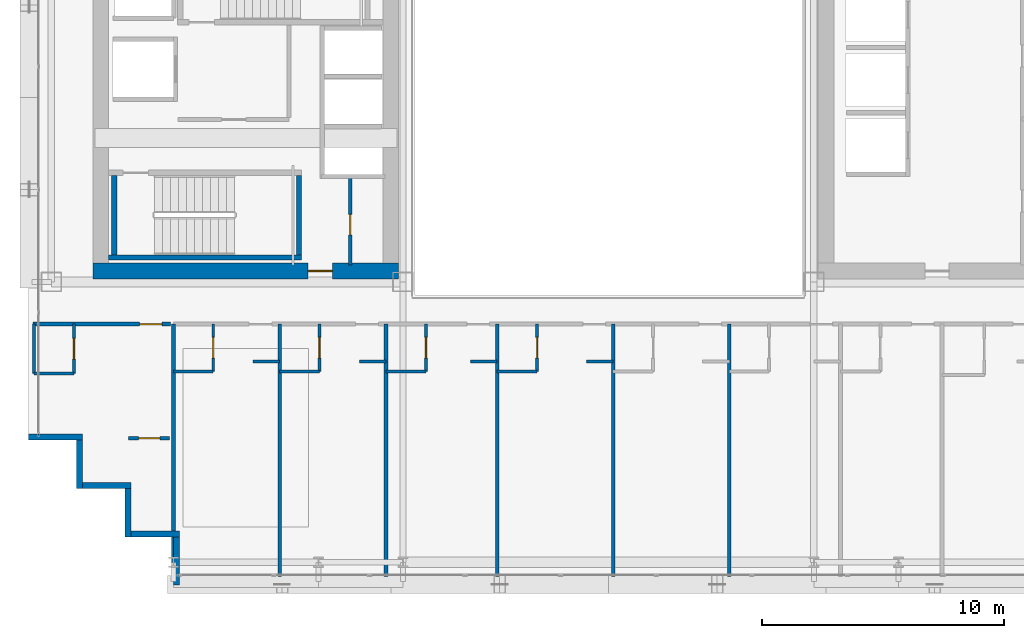
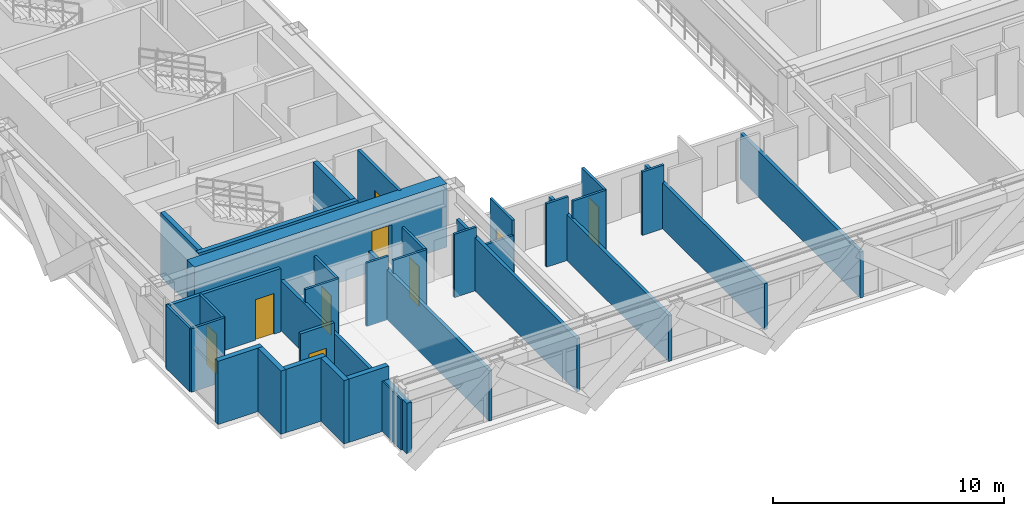
# One storey, part 27 of 36: 34 walls, 9 doors, 9 openings.
"""IFC4 building model written with IfcOpenShell, lengths in metres."""

import ifcopenshell
import ifcopenshell.guid

model = None  # the IFC model being written
_history = None  # IfcOwnerHistory: only IFC2X3 demands one
_inside = {}  # id of a spatial element -> (the spatial element, [elements in it])
_under = {}  # id of a project, library or spatial element -> (it, [spatial elements below it])
_declared = {}  # id of a project -> (the project, [libraries it declares])
_typed = {}  # id of a type object -> (the type object, [elements of that type])
_made_of = {}  # id of a material, layer set ... -> (it, [elements and type objects made of it])


def new_model(schema):
    """Start an empty IFC model of exactly this schema.

    Asked for "IFC4X3", IfcOpenShell would pick the latest addendum, in which some entities
    have other attributes; the version numbers below select the first issue.
    IFC2X3 requires an IfcOwnerHistory on every rooted entity: one is made here for all.
    """
    global model, _history
    if schema == "IFC4X3":
        model = ifcopenshell.file(schema_version=(4, 3, 0, 0))
    else:
        model = ifcopenshell.file(schema=schema)
    _inside.clear()
    _under.clear()
    _declared.clear()
    _typed.clear()
    _made_of.clear()
    _history = None
    if model.schema == "IFC2X3":
        org = make("IfcOrganization", Name="unknown")
        user = make(
            "IfcPersonAndOrganization",
            ThePerson=make("IfcPerson", FamilyName="unknown"),
            TheOrganization=org,
        )
        app = make(
            "IfcApplication",
            ApplicationDeveloper=org,
            Version="unknown",
            ApplicationFullName="unknown",
            ApplicationIdentifier="unknown",
        )
        _history = make(
            "IfcOwnerHistory",
            OwningUser=user,
            OwningApplication=app,
            ChangeAction="ADDED",
            CreationDate=0,
        )
    return model


def make(cls, **values):
    """One entity of the class cls with the attributes given. An attribute that is None is left unset."""
    return model.create_entity(
        cls, **{name: value for name, value in values.items() if value is not None}
    )


def rooted(cls, **values):
    """An entity with a GlobalId (a new one), such as an element, a storey or a relation."""
    return make(cls, GlobalId=ifcopenshell.guid.new(), OwnerHistory=_history, **values)


def si_unit(unit_type, name, prefix=None):
    """IfcSIUnit, for example si_unit("LENGTHUNIT", "METRE", prefix="MILLI")."""
    return make("IfcSIUnit", UnitType=unit_type, Prefix=prefix, Name=name)


def assignment(units):
    """IfcUnitAssignment: the units of a project."""
    return None if units is None else make("IfcUnitAssignment", Units=units)


def point(xyz):
    """IfcCartesianPoint."""
    return None if xyz is None else make("IfcCartesianPoint", Coordinates=xyz)


def direction(xyz):
    """IfcDirection."""
    return None if xyz is None else make("IfcDirection", DirectionRatios=xyz)


def frame(location, z_axis=None, x_axis=None):
    """IfcAxis2Placement3D, a coordinate frame: its origin and axes. An axis left out is left unset."""
    return make(
        "IfcAxis2Placement3D",
        Location=point(location),
        Axis=direction(z_axis),
        RefDirection=direction(x_axis),
    )


def frame_2d(location, x_axis=None):
    """IfcAxis2Placement2D, a coordinate frame in the plane: its origin and x axis."""
    return make(
        "IfcAxis2Placement2D", Location=point(location), RefDirection=direction(x_axis)
    )


def origin():
    """The frame at (0, 0, 0) with its axes left unset."""
    return frame((0.0, 0.0, 0.0))


def place(relative_to, where):
    """IfcLocalPlacement: puts the frame where relative to a parent placement (None: the world)."""
    return make(
        "IfcLocalPlacement", PlacementRelTo=relative_to, RelativePlacement=where
    )


def context(
    kind, dimensions, precision=None, world=None, true_north=None, identifier=None
):
    """IfcGeometricRepresentationContext, for example the 3D "Model" context."""
    return make(
        "IfcGeometricRepresentationContext",
        ContextIdentifier=identifier,
        ContextType=kind,
        CoordinateSpaceDimension=dimensions,
        Precision=precision,
        WorldCoordinateSystem=world,
        TrueNorth=true_north,
    )


def subcontext(parent, identifier, kind, view, scale=None):
    """IfcGeometricRepresentationSubContext, for example "Body" below "Model"."""
    return make(
        "IfcGeometricRepresentationSubContext",
        ContextIdentifier=identifier,
        ContextType=kind,
        ParentContext=parent,
        TargetScale=scale,
        TargetView=view,
    )


def project(units=None, contexts=None):
    """IfcProject with its units and contexts."""
    return rooted(
        "IfcProject",
        Name="project",
        RepresentationContexts=contexts,
        UnitsInContext=assignment(units),
    )


def spatial(cls, under=None, at=None, **own):
    """A site, building, storey or space (cls), placed at a placement, below another one or the project."""
    s = rooted(cls, ObjectPlacement=at, **own)
    if under is not None:
        _under.setdefault(under.id(), (under, []))[1].append(s)
    return s


def profile(cls, at=None, kind="AREA", **sizes):
    """A parametric profile (cls). Its sizes go by their IFC names, for example OverallWidth=200.0."""
    return make(cls, ProfileType=kind, Position=at, **sizes)


def rectangle(**sizes):
    """IfcRectangleProfileDef."""
    return profile("IfcRectangleProfileDef", **sizes)


def extrude(swept, where, along, depth):
    """IfcExtrudedAreaSolid: the profile swept, set in the frame where, extruded along a direction by depth."""
    return make(
        "IfcExtrudedAreaSolid",
        SweptArea=swept,
        Position=where,
        ExtrudedDirection=direction(along),
        Depth=depth,
    )


def shape(context_of_items, identifier, shape_type, items):
    """IfcShapeRepresentation: the items that make up one representation, for example the "Body"."""
    return make(
        "IfcShapeRepresentation",
        ContextOfItems=context_of_items,
        RepresentationIdentifier=identifier,
        RepresentationType=shape_type,
        Items=items,
    )


def source(mapping_origin, context_of_items, identifier, shape_type, items):
    """IfcRepresentationMap: a shape defined once, which mapped items show again and again."""
    return make(
        "IfcRepresentationMap",
        MappingOrigin=mapping_origin,
        MappedRepresentation=shape(context_of_items, identifier, shape_type, items),
    )


def transform(
    local_origin,
    x_axis=None,
    y_axis=None,
    z_axis=None,
    scale=None,
    scale2=None,
    scale3=None,
    uniform=True,
):
    """IfcCartesianTransformationOperator3D, or its non-uniform kind. x_axis, y_axis, z_axis: its Axis1, 2, 3."""
    if uniform:
        return make(
            "IfcCartesianTransformationOperator3D",
            Axis1=direction(x_axis),
            Axis2=direction(y_axis),
            LocalOrigin=point(local_origin),
            Scale=scale,
            Axis3=direction(z_axis),
        )
    return make(
        "IfcCartesianTransformationOperator3DnonUniform",
        Axis1=direction(x_axis),
        Axis2=direction(y_axis),
        LocalOrigin=point(local_origin),
        Scale=scale,
        Axis3=direction(z_axis),
        Scale2=scale2,
        Scale3=scale3,
    )


def mapped(mapping_source, mapping_target):
    """IfcMappedItem: shows the shape of a source again, moved by a transform."""
    return make(
        "IfcMappedItem", MappingSource=mapping_source, MappingTarget=mapping_target
    )


def material(Name=None, Category=None):
    """IfcMaterial."""
    return make("IfcMaterial", Name=Name, Category=Category)


def layer(
    of_material, thickness, ventilated=None, Name=None, Category=None, Priority=None
):
    """IfcMaterialLayer: one layer of a wall or slab, of a material (None: an air gap)."""
    return make(
        "IfcMaterialLayer",
        Material=of_material,
        LayerThickness=thickness,
        IsVentilated=ventilated,
        Name=Name,
        Category=Category,
        Priority=Priority,
    )


def layer_set(layers, Name=None):
    """IfcMaterialLayerSet."""
    return make("IfcMaterialLayerSet", MaterialLayers=layers, LayerSetName=Name)


def made_of(thing, what):
    """Note that an element or type object is made of a material, layer set ...; save() writes the relation."""
    if what is not None:
        _made_of.setdefault(what.id(), (what, []))[1].append(thing)
    return thing


def type_object(cls, material=None, **own):
    """A type object (cls), such as IfcWallType, which elements share."""
    return made_of(rooted(cls, **own), material)


def element(
    cls,
    number,
    at=None,
    inside=None,
    cuts=None,
    type_object=None,
    material=None,
    context=None,
    identifier="Body",
    shape_type=None,
    held_by="IfcProductDefinitionShape",
    body=None,
    shapes=None,
    **own,
):
    """One element of the class cls, such as IfcWall. Its Tag is "e" and its number.

    at: its placement. inside: the storey or other place that contains it. cuts: it is an
    opening in that element (IfcRelVoidsElement). A single representation is given by context,
    identifier, shape_type and body (its items); several are given by shapes. held_by: the class
    of the entity that holds the representations. save() writes the other relations.
    """
    e = rooted(cls, Tag="e%d" % number, ObjectPlacement=at, **own)
    if body is not None:
        shapes = [shape(context, identifier, shape_type, body)]
    if shapes is not None:
        e.Representation = make(held_by, Representations=shapes)
    if inside is not None:
        _inside.setdefault(inside.id(), (inside, []))[1].append(e)
    if cuts is not None:
        rooted(
            "IfcRelVoidsElement", RelatingBuildingElement=cuts, RelatedOpeningElement=e
        )
    if type_object is not None:
        _typed.setdefault(type_object.id(), (type_object, []))[1].append(e)
    return made_of(e, material)


def fill(opening, filler):
    """IfcRelFillsElement: the door or window that sits in an opening."""
    return rooted(
        "IfcRelFillsElement",
        RelatingOpeningElement=opening,
        RelatedBuildingElement=filler,
    )


def aggregate(whole, parts):
    """IfcRelAggregates: a whole, such as a stair, and the parts it consists of."""
    return rooted("IfcRelAggregates", RelatingObject=whole, RelatedObjects=parts)


def save(model, path):
    """Write the relations noted so far, then the file.

    IfcRelAggregates (storeys below a building ...), IfcRelContainedInSpatialStructure (elements
    in a storey), IfcRelDefinesByType, IfcRelAssociatesMaterial and IfcRelDeclares: one each for
    every whole, place, type object, material and project.
    """
    for whole, parts in _under.values():
        aggregate(whole, parts)
    for where, things in _inside.values():
        rooted(
            "IfcRelContainedInSpatialStructure",
            RelatedElements=things,
            RelatingStructure=where,
        )
    for kind, things in _typed.values():
        rooted("IfcRelDefinesByType", RelatedObjects=things, RelatingType=kind)
    for what, things in _made_of.values():
        rooted("IfcRelAssociatesMaterial", RelatedObjects=things, RelatingMaterial=what)
    for by, libraries in _declared.values():
        rooted("IfcRelDeclares", RelatingContext=by, RelatedDefinitions=libraries)
    model.write(path)


model = new_model("IFC4")

# Units and contexts
model_context = context("Model", 3, precision=1e-05, world=origin(), true_north=direction((0.0, 1.0)))
body_context = subcontext(model_context, "Body", "Model", "MODEL_VIEW")
ifc_project = project(units=[si_unit("LENGTHUNIT", "METRE"), si_unit("AREAUNIT", "SQUARE_METRE"), si_unit("VOLUMEUNIT", "CUBIC_METRE"), si_unit("PLANEANGLEUNIT", "RADIAN"), si_unit("MASSUNIT", "GRAM", prefix="KILO")], contexts=[model_context])

# Site, building, storey
site_placement = place(None, origin())
site = spatial("IfcSite", under=ifc_project, at=site_placement, CompositionType="ELEMENT")
building_placement = place(site_placement, origin())
building = spatial("IfcBuilding", under=site, at=building_placement, Name="Ocotamira Hotel", CompositionType="ELEMENT")
storey_placement = place(building_placement, frame((0.0, 0.0, 97.199951171875)))
storey = spatial("IfcBuildingStorey", under=building, at=storey_placement, Name="L23", CompositionType="ELEMENT", Elevation=97.199951171875)

# Wall, opening, door
ifc_material_1 = material(Name="Concrete C60/75", Category="concrete")
ifc_layer_1 = layer(ifc_material_1, 0.64990234375)
ifc_layer_set_1 = layer_set([ifc_layer_1], Name="Concrete C60/75")
wall_type_1 = type_object("IfcWallType", Name="WL-CORE-650", PredefinedType="SHEAR", material=ifc_layer_set_1)
wall_1_placement = place(storey_placement, frame((10.675048828125, 15.0, 0.0), z_axis=(0.0, 0.0, 1.0), x_axis=(1.0, 0.0, 0.0)))
wall_1 = element("IfcWall", 1, at=wall_1_placement, inside=storey, type_object=wall_type_1, Name="L23 Shear Core Wall WCORE-S", PredefinedType="SHEAR", context=body_context, shape_type="SweptSolid", body=[
    extrude(rectangle(XDim=12.64990234375, YDim=0.64990234375, at=frame_2d((6.324951171875, 0.0))), origin(), (0.0, 0.0, 1.0), 3.360107421875),
])
opening_1_placement = place(wall_1_placement, frame((8.905029296875, 0.0, 0.0)))
opening_1 = element("IfcOpeningElement", 2, at=opening_1_placement, cuts=wall_1, Name="Opening D-FR2", PredefinedType="OPENING", context=body_context, shape_type="SweptSolid", body=[
    extrude(rectangle(XDim=1.0, YDim=2.14990234375, at=frame_2d((0.5, 1.074951171875))), frame((0.0, 0.3349609375, 0.0), z_axis=(0.0, -1.0, 0.0), x_axis=(1.0, 0.0, 0.0)), (0.0, 0.0, 1.0), 0.669921875),
])
ifc_material_2 = material(Name="Fire-rated acoustic timber-veneer door", Category="wood")
door_type_1 = type_object("IfcDoorType", Name="DR-FIRE-1000", OperationType="NOTDEFINED", PredefinedType="DOOR", material=ifc_material_2)
shared_shape_1 = source(origin(), body_context, "Body", "SweptSolid", [
    extrude(rectangle(XDim=1.0, YDim=2.14990234375, at=frame_2d((0.5, 1.074951171875))), frame((0.0, 0.02490234375, 0.0), z_axis=(0.0, -1.0, 0.0), x_axis=(1.0, 0.0, 0.0)), (0.0, 0.0, 1.0), 0.050048828125),
])
door_1_placement = place(opening_1_placement, origin())
door_1 = element("IfcDoor", 3, at=door_1_placement, inside=storey, type_object=door_type_1, Name="L23 Door ID-L23-WLOB-S-D [ID-L23-WLOB-S-D]", OperationType="SINGLE_SWING_LEFT", OverallHeight=2.14990234375, OverallWidth=1.0, PredefinedType="DOOR", context=body_context, shape_type="MappedRepresentation", body=[
    mapped(shared_shape_1, transform((0.0, 0.0, 0.0), scale=1.0)),
])
fill(opening_1, door_1)

# Walls
ifc_material_3 = material(Name="Precast concrete C45/55", Category="concrete")
ifc_layer_2 = layer(ifc_material_3, 0.25)
ifc_layer_set_2 = layer_set([ifc_layer_2], Name="Precast concrete C45/55")
wall_type_2 = type_object("IfcWallType", Name="WL-EXT-SER-250", PredefinedType="SOLIDWALL", material=ifc_layer_set_2)
wall_2_placement = place(storey_placement, frame((8.0, 8.125, 0.0), z_axis=(0.0, 0.0, 1.0), x_axis=(1.0, 0.0, 0.0)))
element("IfcWall", 4, at=wall_2_placement, inside=storey, type_object=wall_type_2, Name="L23 Serrated Corner Wall 19", PredefinedType="SOLIDWALL", context=body_context, shape_type="SweptSolid", body=[
    extrude(rectangle(XDim=2.25, YDim=0.25, at=frame_2d((1.125, 0.0))), origin(), (0.0, 0.0, 1.0), 3.360107421875),
])
for number, where, z_axis, x_axis, name in (
    (5, (10.125, 8.0, 0.0), (0.0, 0.0, 1.0), (0.0, -1.0, 0.0), "L23 Serrated Corner Wall 20"),
    (6, (10.25, 6.125, 0.0), (0.0, 0.0, 1.0), (1.0, 0.0, 0.0), "L23 Serrated Corner Wall 21"),
    (7, (12.125, 6.0, 0.0), (0.0, 0.0, 1.0), (0.0, -1.0, 0.0), "L23 Serrated Corner Wall 22"),
    (8, (12.25, 4.125, 0.0), (0.0, 0.0, 1.0), (1.0, 0.0, 0.0), "L23 Serrated Corner Wall 23"),
):
    element("IfcWall", number, at=place(storey_placement, frame(where, z_axis=z_axis, x_axis=x_axis)), inside=storey, type_object=wall_type_2, Name=name, PredefinedType="SOLIDWALL", context=body_context, shape_type="SweptSolid", body=[
        extrude(rectangle(XDim=2.0, YDim=0.25, at=frame_2d((1.0, 0.0))), origin(), (0.0, 0.0, 1.0), 3.360107421875),
    ])
wall_3_placement = place(storey_placement, frame((14.125, 4.0, 0.0), z_axis=(0.0, 0.0, 1.0), x_axis=(0.0, -1.0, 0.0)))
element("IfcWall", 9, at=wall_3_placement, inside=storey, type_object=wall_type_2, Name="L23 Serrated Corner Wall 24", PredefinedType="SOLIDWALL", context=body_context, shape_type="SweptSolid", body=[
    extrude(rectangle(XDim=2.0, YDim=0.25, at=frame_2d((1.0, 0.0))), origin(), (0.0, 0.0, 1.0), 2.6669921875),
])

# Wall, opening, door
ifc_material_4 = material(Name="Acoustic double-layer fire gypsum board partition", Category="gypsum")
ifc_layer_3 = layer(ifc_material_4, 0.159912109375)
ifc_layer_set_3 = layer_set([ifc_layer_3], Name="Acoustic double-layer fire gypsum board partition")
wall_type_3 = type_object("IfcWallType", Name="WL-FIRE-160", PredefinedType="PARTITIONING", material=ifc_layer_set_3)
wall_4_placement = place(storey_placement, frame((8.199951171875, 12.800048828125, 0.0), z_axis=(0.0, 0.0, 1.0), x_axis=(1.0, 0.0, 0.0)))
wall_4 = element("IfcWall", 10, at=wall_4_placement, inside=storey, type_object=wall_type_3, Name="L23 Interior Wall PW-L23-Z2A-CSW-CW", PredefinedType="PARTITIONING", context=body_context, shape_type="SweptSolid", body=[
    extrude(rectangle(XDim=5.679931640625, YDim=0.159912109375, at=frame_2d((2.83984375, 0.0))), origin(), (0.0, 0.0, 1.0), 3.360107421875),
])
opening_2_placement = place(wall_4_placement, frame((4.39990234375, 0.0, 0.0)))
opening_2 = element("IfcOpeningElement", 11, at=opening_2_placement, cuts=wall_4, Name="Opening D-GR1", PredefinedType="OPENING", context=body_context, shape_type="SweptSolid", body=[
    extrude(rectangle(XDim=0.93994140625, YDim=2.14990234375, at=frame_2d((0.469970703125, 1.074951171875))), frame((0.0, 0.08984375, 0.0), z_axis=(0.0, -1.0, 0.0), x_axis=(1.0, 0.0, 0.0)), (0.0, 0.0, 1.0), 0.179931640625),
])
ifc_material_5 = material(Name="Solid-core walnut suite entrance fire door", Category="wood")
door_type_2 = type_object("IfcDoorType", Name="DR-GUEST-940", OperationType="NOTDEFINED", PredefinedType="DOOR", material=ifc_material_5)
shared_shape_2 = source(origin(), body_context, "Body", "SweptSolid", [
    extrude(rectangle(XDim=0.93994140625, YDim=2.14990234375, at=frame_2d((0.469970703125, 1.074951171875))), frame((0.0, 0.02490234375, 0.0), z_axis=(0.0, -1.0, 0.0), x_axis=(1.0, 0.0, 0.0)), (0.0, 0.0, 1.0), 0.050048828125),
])
door_2_placement = place(opening_2_placement, origin())
door_2 = element("IfcDoor", 12, at=door_2_placement, inside=storey, type_object=door_type_2, Name="L23 Door ID-L23-Z2A-CSW-CD [ID-L23-Z2A-CSW-CD]", OperationType="SINGLE_SWING_RIGHT", OverallHeight=2.14990234375, OverallWidth=0.93994140625, PredefinedType="DOOR", context=body_context, shape_type="MappedRepresentation", body=[
    mapped(shared_shape_2, transform((0.0, 0.0, 0.0), scale=1.0)),
])
fill(opening_2, door_2)

wall_5_placement = place(storey_placement, frame((12.14990234375, 8.080078125, 0.0), z_axis=(0.0, 0.0, 1.0), x_axis=(1.0, 0.0, 0.0)))
wall_5 = element("IfcWall", 13, at=wall_5_placement, inside=storey, type_object=wall_type_3, Name="L23 Interior Wall PW-L23-Z2A-CSW2-CW", PredefinedType="PARTITIONING", context=body_context, shape_type="SweptSolid", body=[
    extrude(rectangle(XDim=1.7001953125, YDim=0.159912109375, at=frame_2d((0.85009765625, 0.0))), origin(), (0.0, 0.0, 1.0), 3.360107421875),
])
opening_3_placement = place(wall_5_placement, frame((0.409912109375, 0.0, 0.0)))
opening_3 = element("IfcOpeningElement", 14, at=opening_3_placement, cuts=wall_5, Name="Opening D-SV2", PredefinedType="OPENING", context=body_context, shape_type="SweptSolid", body=[
    extrude(rectangle(XDim=0.8798828125, YDim=2.14990234375, at=frame_2d((0.43994140625, 1.074951171875))), frame((0.0, 0.08984375, 0.0), z_axis=(0.0, -1.0, 0.0), x_axis=(1.0, 0.0, 0.0)), (0.0, 0.0, 1.0), 0.179931640625),
])
ifc_material_6 = material(Name="Fire-rated painted steel service door", Category="steel")
door_type_3 = type_object("IfcDoorType", Name="DR-SERV-880", OperationType="NOTDEFINED", PredefinedType="DOOR", material=ifc_material_6)
shared_shape_3 = source(origin(), body_context, "Body", "SweptSolid", [
    extrude(rectangle(XDim=0.8798828125, YDim=2.14990234375, at=frame_2d((0.43994140625, 1.074951171875))), frame((0.0, 0.02490234375, 0.0), z_axis=(0.0, -1.0, 0.0), x_axis=(1.0, 0.0, 0.0)), (0.0, 0.0, 1.0), 0.050048828125),
])
door_3_placement = place(opening_3_placement, origin())
door_3 = element("IfcDoor", 15, at=door_3_placement, inside=storey, type_object=door_type_3, Name="L23 Door ID-L23-Z2A-CSW2-CD [ID-L23-Z2A-CSW2-CD]", OperationType="SINGLE_SWING_LEFT", OverallHeight=2.14990234375, OverallWidth=0.8798828125, PredefinedType="DOOR", context=body_context, shape_type="MappedRepresentation", body=[
    mapped(shared_shape_3, transform((0.0, 0.0, 0.0), scale=1.0)),
])
fill(opening_3, door_3)

ifc_material_7 = material(Name="Moisture-resistant en-suite tile and gypsum partition", Category="gypsum")
ifc_layer_4 = layer(ifc_material_7, 0.1201171875)
ifc_layer_set_4 = layer_set([ifc_layer_4], Name="Moisture-resistant en-suite tile and gypsum partition")
wall_type_4 = type_object("IfcWallType", Name="WL-PART-120", PredefinedType="PARTITIONING", material=ifc_layer_set_4)
wall_6_placement = place(storey_placement, frame((9.889892578125, 10.760009765625, 0.0), z_axis=(0.0, 0.0, 1.0), x_axis=(0.0, 1.0, 0.0)))
wall_6 = element("IfcWall", 16, at=wall_6_placement, inside=storey, type_object=wall_type_4, Name="L23 Interior Wall PW-L23-Z2A-CSW-BE", PredefinedType="PARTITIONING", context=body_context, shape_type="SweptSolid", body=[
    extrude(rectangle(XDim=2.0400390625, YDim=0.1201171875, at=frame_2d((1.02001953125, 0.0))), origin(), (0.0, 0.0, 1.0), 3.360107421875),
])
opening_4_placement = place(wall_6_placement, frame((0.590087890625, 0.0, 0.0)))
opening_4 = element("IfcOpeningElement", 17, at=opening_4_placement, cuts=wall_6, Name="Opening D-BA1", PredefinedType="OPENING", context=body_context, shape_type="SweptSolid", body=[
    extrude(rectangle(XDim=0.860107421875, YDim=2.10009765625, at=frame_2d((0.43017578125, 1.050048828125))), frame((0.0, 0.070068359375, 0.0), z_axis=(0.0, -1.0, 0.0), x_axis=(1.0, 0.0, 0.0)), (0.0, 0.0, 1.0), 0.14013671875),
])
ifc_material_8 = material(Name="Moisture-sealed en-suite timber door", Category="wood")
door_type_4 = type_object("IfcDoorType", Name="DR-BATH-860", OperationType="NOTDEFINED", PredefinedType="DOOR", material=ifc_material_8)
shared_shape_4 = source(origin(), body_context, "Body", "SweptSolid", [
    extrude(rectangle(XDim=0.860107421875, YDim=2.10009765625, at=frame_2d((0.43017578125, 1.050048828125))), frame((0.0, 0.02490234375, 0.0), z_axis=(0.0, -1.0, 0.0), x_axis=(1.0, 0.0, 0.0)), (0.0, 0.0, 1.0), 0.050048828125),
])
door_4_placement = place(opening_4_placement, origin())
door_4 = element("IfcDoor", 18, at=door_4_placement, inside=storey, type_object=door_type_4, Name="L23 Door ID-L23-Z2A-CSW-BD [ID-L23-Z2A-CSW-BD]", OperationType="SINGLE_SWING_LEFT", OverallHeight=2.10009765625, OverallWidth=0.860107421875, PredefinedType="DOOR", context=body_context, shape_type="MappedRepresentation", body=[
    mapped(shared_shape_4, transform((0.0, 0.0, 0.0), scale=1.0)),
])
fill(opening_4, door_4)

# Walls
wall_7_placement = place(storey_placement, frame((8.239990234375, 10.760009765625, 0.0), z_axis=(0.0, 0.0, 1.0), x_axis=(0.0, 1.0, 0.0)))
element("IfcWall", 19, at=wall_7_placement, inside=storey, type_object=wall_type_4, Name="L23 Interior Wall PW-L23-Z2A-CSW-BW", PredefinedType="PARTITIONING", context=body_context, shape_type="SweptSolid", body=[
    extrude(rectangle(XDim=2.0400390625, YDim=0.1201171875, at=frame_2d((1.02001953125, 0.0))), origin(), (0.0, 0.0, 1.0), 3.360107421875),
])
wall_8_placement = place(storey_placement, frame((8.239990234375, 10.760009765625, 0.0), z_axis=(0.0, 0.0, 1.0), x_axis=(1.0, 0.0, 0.0)))
element("IfcWall", 20, at=wall_8_placement, inside=storey, type_object=wall_type_4, Name="L23 Interior Wall PW-L23-Z2A-CSW-BH", PredefinedType="PARTITIONING", context=body_context, shape_type="SweptSolid", body=[
    extrude(rectangle(XDim=1.64990234375, YDim=0.1201171875, at=frame_2d((0.824951171875, 0.0))), origin(), (0.0, 0.0, 1.0), 3.360107421875),
])

# Wall, opening, door
wall_9_placement = place(storey_placement, frame((15.64990234375, 10.85009765625, 0.0), z_axis=(0.0, 0.0, 1.0), x_axis=(0.0, 1.0, 0.0)))
wall_9 = element("IfcWall", 21, at=wall_9_placement, inside=storey, type_object=wall_type_4, Name="L23 Interior Wall PW-L23-Z2AS-BAE1", PredefinedType="PARTITIONING", context=body_context, shape_type="SweptSolid", body=[
    extrude(rectangle(XDim=1.949951171875, YDim=0.1201171875, at=frame_2d((0.97509765625, 0.0))), origin(), (0.0, 0.0, 1.0), 3.360107421875),
])
opening_5_placement = place(wall_9_placement, frame((0.544921875, 0.0, 0.0)))
opening_5 = element("IfcOpeningElement", 22, at=opening_5_placement, cuts=wall_9, Name="Opening D-BA1", PredefinedType="OPENING", context=body_context, shape_type="SweptSolid", body=[
    extrude(rectangle(XDim=0.860107421875, YDim=2.10009765625, at=frame_2d((0.43017578125, 1.050048828125))), frame((0.0, 0.070068359375, 0.0), z_axis=(0.0, -1.0, 0.0), x_axis=(1.0, 0.0, 0.0)), (0.0, 0.0, 1.0), 0.14013671875),
])
door_5_placement = place(opening_5_placement, origin())
door_5 = element("IfcDoor", 23, at=door_5_placement, inside=storey, type_object=door_type_4, Name="L23 Door ID-L23-Z2AS-BAD1 [ID-L23-Z2AS-BAD1]", OperationType="SINGLE_SWING_RIGHT", OverallHeight=2.10009765625, OverallWidth=0.860107421875, PredefinedType="DOOR", context=body_context, shape_type="MappedRepresentation", body=[
    mapped(shared_shape_4, transform((0.0, 0.0, 0.0), scale=1.0)),
])
fill(opening_5, door_5)

# Walls
wall_10_placement = place(storey_placement, frame((14.0, 10.85009765625, 0.0), z_axis=(0.0, 0.0, 1.0), x_axis=(1.0, 0.0, 0.0)))
element("IfcWall", 24, at=wall_10_placement, inside=storey, type_object=wall_type_4, Name="L23 Interior Wall PW-L23-Z2AS-BAS1", PredefinedType="PARTITIONING", context=body_context, shape_type="SweptSolid", body=[
    extrude(rectangle(XDim=1.64990234375, YDim=0.1201171875, at=frame_2d((0.824951171875, 0.0))), origin(), (0.0, 0.0, 1.0), 3.360107421875),
])
wall_11_placement = place(storey_placement, frame((17.300048828125, 11.25, 0.0), z_axis=(0.0, 0.0, 1.0), x_axis=(1.0, 0.0, 0.0)))
element("IfcWall", 25, at=wall_11_placement, inside=storey, type_object=wall_type_4, Name="L23 Interior Wall PW-L23-Z2AS-DRN1", PredefinedType="PARTITIONING", context=body_context, shape_type="SweptSolid", body=[
    extrude(rectangle(XDim=1.099853515625, YDim=0.1201171875, at=frame_2d((0.5498046875, 0.0))), origin(), (0.0, 0.0, 1.0), 3.360107421875),
])

# Wall, opening, door
wall_12_placement = place(storey_placement, frame((20.050048828125, 10.85009765625, 0.0), z_axis=(0.0, 0.0, 1.0), x_axis=(0.0, 1.0, 0.0)))
wall_12 = element("IfcWall", 26, at=wall_12_placement, inside=storey, type_object=wall_type_4, Name="L23 Interior Wall PW-L23-Z2AS-BAE2", PredefinedType="PARTITIONING", context=body_context, shape_type="SweptSolid", body=[
    extrude(rectangle(XDim=1.949951171875, YDim=0.1201171875, at=frame_2d((0.97509765625, 0.0))), origin(), (0.0, 0.0, 1.0), 3.360107421875),
])
opening_6_placement = place(wall_12_placement, frame((0.544921875, 0.0, 0.0)))
opening_6 = element("IfcOpeningElement", 27, at=opening_6_placement, cuts=wall_12, Name="Opening D-BA1", PredefinedType="OPENING", context=body_context, shape_type="SweptSolid", body=[
    extrude(rectangle(XDim=0.860107421875, YDim=2.10009765625, at=frame_2d((0.43017578125, 1.050048828125))), frame((0.0, 0.070068359375, 0.0), z_axis=(0.0, -1.0, 0.0), x_axis=(1.0, 0.0, 0.0)), (0.0, 0.0, 1.0), 0.14013671875),
])
door_6_placement = place(opening_6_placement, origin())
door_6 = element("IfcDoor", 28, at=door_6_placement, inside=storey, type_object=door_type_4, Name="L23 Door ID-L23-Z2AS-BAD2 [ID-L23-Z2AS-BAD2]", OperationType="SINGLE_SWING_LEFT", OverallHeight=2.10009765625, OverallWidth=0.860107421875, PredefinedType="DOOR", context=body_context, shape_type="MappedRepresentation", body=[
    mapped(shared_shape_4, transform((0.0, 0.0, 0.0), scale=1.0)),
])
fill(opening_6, door_6)

# Walls
wall_13_placement = place(storey_placement, frame((18.39990234375, 10.85009765625, 0.0), z_axis=(0.0, 0.0, 1.0), x_axis=(1.0, 0.0, 0.0)))
element("IfcWall", 29, at=wall_13_placement, inside=storey, type_object=wall_type_4, Name="L23 Interior Wall PW-L23-Z2AS-BAS2", PredefinedType="PARTITIONING", context=body_context, shape_type="SweptSolid", body=[
    extrude(rectangle(XDim=1.650146484375, YDim=0.1201171875, at=frame_2d((0.8251953125, 0.0))), origin(), (0.0, 0.0, 1.0), 3.360107421875),
])
wall_14_placement = place(storey_placement, frame((21.699951171875, 11.25, 0.0), z_axis=(0.0, 0.0, 1.0), x_axis=(1.0, 0.0, 0.0)))
element("IfcWall", 30, at=wall_14_placement, inside=storey, type_object=wall_type_4, Name="L23 Interior Wall PW-L23-Z2AS-DRN2", PredefinedType="PARTITIONING", context=body_context, shape_type="SweptSolid", body=[
    extrude(rectangle(XDim=1.10009765625, YDim=0.1201171875, at=frame_2d((0.550048828125, 0.0))), origin(), (0.0, 0.0, 1.0), 3.360107421875),
])

# Wall, opening, door
wall_15_placement = place(storey_placement, frame((24.449951171875, 10.85009765625, 0.0), z_axis=(0.0, 0.0, 1.0), x_axis=(0.0, 1.0, 0.0)))
wall_15 = element("IfcWall", 31, at=wall_15_placement, inside=storey, type_object=wall_type_4, Name="L23 Interior Wall PW-L23-Z2AS-BAE3", PredefinedType="PARTITIONING", context=body_context, shape_type="SweptSolid", body=[
    extrude(rectangle(XDim=1.949951171875, YDim=0.1201171875, at=frame_2d((0.97509765625, 0.0))), origin(), (0.0, 0.0, 1.0), 3.360107421875),
])
opening_7_placement = place(wall_15_placement, frame((0.544921875, 0.0, 0.0)))
opening_7 = element("IfcOpeningElement", 32, at=opening_7_placement, cuts=wall_15, Name="Opening D-BA1", PredefinedType="OPENING", context=body_context, shape_type="SweptSolid", body=[
    extrude(rectangle(XDim=0.860107421875, YDim=2.10009765625, at=frame_2d((0.43017578125, 1.050048828125))), frame((0.0, 0.070068359375, 0.0), z_axis=(0.0, -1.0, 0.0), x_axis=(1.0, 0.0, 0.0)), (0.0, 0.0, 1.0), 0.14013671875),
])
door_7_placement = place(opening_7_placement, origin())
door_7 = element("IfcDoor", 33, at=door_7_placement, inside=storey, type_object=door_type_4, Name="L23 Door ID-L23-Z2AS-BAD3 [ID-L23-Z2AS-BAD3]", OperationType="SINGLE_SWING_RIGHT", OverallHeight=2.10009765625, OverallWidth=0.860107421875, PredefinedType="DOOR", context=body_context, shape_type="MappedRepresentation", body=[
    mapped(shared_shape_4, transform((0.0, 0.0, 0.0), scale=1.0)),
])
fill(opening_7, door_7)

# Walls
wall_16_placement = place(storey_placement, frame((22.800048828125, 10.85009765625, 0.0), z_axis=(0.0, 0.0, 1.0), x_axis=(1.0, 0.0, 0.0)))
element("IfcWall", 34, at=wall_16_placement, inside=storey, type_object=wall_type_4, Name="L23 Interior Wall PW-L23-Z2AS-BAS3", PredefinedType="PARTITIONING", context=body_context, shape_type="SweptSolid", body=[
    extrude(rectangle(XDim=1.64990234375, YDim=0.1201171875, at=frame_2d((0.824951171875, 0.0))), origin(), (0.0, 0.0, 1.0), 2.5810546875),
])
wall_17_placement = place(storey_placement, frame((26.300048828125, 11.25, 0.0), z_axis=(0.0, 0.0, 1.0), x_axis=(1.0, 0.0, 0.0)))
element("IfcWall", 35, at=wall_17_placement, inside=storey, type_object=wall_type_4, Name="L23 Interior Wall PW-L23-Z2AS-DRN3", PredefinedType="PARTITIONING", context=body_context, shape_type="SweptSolid", body=[
    extrude(rectangle(XDim=1.099853515625, YDim=0.1201171875, at=frame_2d((0.5498046875, 0.0))), origin(), (0.0, 0.0, 1.0), 3.360107421875),
])

# Wall, opening, door
wall_18_placement = place(storey_placement, frame((29.050048828125, 10.85009765625, 0.0), z_axis=(0.0, 0.0, 1.0), x_axis=(0.0, 1.0, 0.0)))
wall_18 = element("IfcWall", 36, at=wall_18_placement, inside=storey, type_object=wall_type_4, Name="L23 Interior Wall PW-L23-Z2AS-BAE4", PredefinedType="PARTITIONING", context=body_context, shape_type="SweptSolid", body=[
    extrude(rectangle(XDim=1.949951171875, YDim=0.1201171875, at=frame_2d((0.97509765625, 0.0))), origin(), (0.0, 0.0, 1.0), 3.360107421875),
])
opening_8_placement = place(wall_18_placement, frame((0.544921875, 0.0, 0.0)))
opening_8 = element("IfcOpeningElement", 37, at=opening_8_placement, cuts=wall_18, Name="Opening D-BA1", PredefinedType="OPENING", context=body_context, shape_type="SweptSolid", body=[
    extrude(rectangle(XDim=0.860107421875, YDim=2.10009765625, at=frame_2d((0.43017578125, 1.050048828125))), frame((0.0, 0.070068359375, 0.0), z_axis=(0.0, -1.0, 0.0), x_axis=(1.0, 0.0, 0.0)), (0.0, 0.0, 1.0), 0.14013671875),
])
door_8_placement = place(opening_8_placement, origin())
door_8 = element("IfcDoor", 38, at=door_8_placement, inside=storey, type_object=door_type_4, Name="L23 Door ID-L23-Z2AS-BAD4 [ID-L23-Z2AS-BAD4]", OperationType="SINGLE_SWING_LEFT", OverallHeight=2.10009765625, OverallWidth=0.860107421875, PredefinedType="DOOR", context=body_context, shape_type="MappedRepresentation", body=[
    mapped(shared_shape_4, transform((0.0, 0.0, 0.0), scale=1.0)),
])
fill(opening_8, door_8)

# Walls
wall_19_placement = place(storey_placement, frame((27.39990234375, 10.85009765625, 0.0), z_axis=(0.0, 0.0, 1.0), x_axis=(1.0, 0.0, 0.0)))
element("IfcWall", 39, at=wall_19_placement, inside=storey, type_object=wall_type_4, Name="L23 Interior Wall PW-L23-Z2AS-BAS4", PredefinedType="PARTITIONING", context=body_context, shape_type="SweptSolid", body=[
    extrude(rectangle(XDim=1.650146484375, YDim=0.1201171875, at=frame_2d((0.8251953125, 0.0))), origin(), (0.0, 0.0, 1.0), 3.360107421875),
])
wall_20_placement = place(storey_placement, frame((31.10009765625, 11.25, 0.0), z_axis=(0.0, 0.0, 1.0), x_axis=(1.0, 0.0, 0.0)))
element("IfcWall", 40, at=wall_20_placement, inside=storey, type_object=wall_type_4, Name="L23 Interior Wall PW-L23-Z2AS-DRN4", PredefinedType="PARTITIONING", context=body_context, shape_type="SweptSolid", body=[
    extrude(rectangle(XDim=1.099853515625, YDim=0.1201171875, at=frame_2d((0.5498046875, 0.0))), origin(), (0.0, 0.0, 1.0), 3.360107421875),
])

# Wall, opening, door
ifc_material_9 = material(Name="Acoustic hospitality gypsum board partition", Category="gypsum")
ifc_layer_5 = layer(ifc_material_9, 0.14208984375)
ifc_layer_set_5 = layer_set([ifc_layer_5], Name="Acoustic hospitality gypsum board partition")
wall_type_5 = type_object("IfcWallType", Name="WL-PART-142", PredefinedType="PARTITIONING", material=ifc_layer_set_5)
wall_21_placement = place(storey_placement, frame((21.320068359375, 15.25, 0.0), z_axis=(0.0, 0.0, 1.0), x_axis=(0.0, 1.0, 0.0)))
wall_21 = element("IfcWall", 41, at=wall_21_placement, inside=storey, type_object=wall_type_5, Name="L23 Interior Wall PW-L23-WC-SE-W", PredefinedType="PARTITIONING", context=body_context, shape_type="SweptSolid", body=[
    extrude(rectangle(XDim=3.590087890625, YDim=0.14208984375, at=frame_2d((1.794921875, 0.0))), origin(), (0.0, 0.0, 1.0), 3.360107421875),
])
opening_9_placement = place(wall_21_placement, frame((1.25, 0.0, 0.0)))
opening_9 = element("IfcOpeningElement", 42, at=opening_9_placement, cuts=wall_21, Name="Opening D-SV1", PredefinedType="OPENING", context=body_context, shape_type="SweptSolid", body=[
    extrude(rectangle(XDim=0.840087890625, YDim=2.10009765625, at=frame_2d((0.419921875, 1.050048828125))), frame((0.0, 0.0810546875, 0.0), z_axis=(0.0, -1.0, 0.0), x_axis=(1.0, 0.0, 0.0)), (0.0, 0.0, 1.0), 0.162109375),
])
door_type_5 = type_object("IfcDoorType", Name="DR-SERV-840", OperationType="NOTDEFINED", PredefinedType="DOOR", material=ifc_material_6)
shared_shape_5 = source(origin(), body_context, "Body", "SweptSolid", [
    extrude(rectangle(XDim=0.840087890625, YDim=2.10009765625, at=frame_2d((0.419921875, 1.050048828125))), frame((0.0, 0.02490234375, 0.0), z_axis=(0.0, -1.0, 0.0), x_axis=(1.0, 0.0, 0.0)), (0.0, 0.0, 1.0), 0.050048828125),
])
door_9_placement = place(opening_9_placement, origin())
door_9 = element("IfcDoor", 43, at=door_9_placement, inside=storey, type_object=door_type_5, Name="L23 Door ID-L23-WC-SE-D [ID-L23-WC-SE-D]", OperationType="SINGLE_SWING_RIGHT", OverallHeight=2.10009765625, OverallWidth=0.840087890625, PredefinedType="DOOR", context=body_context, shape_type="MappedRepresentation", body=[
    mapped(shared_shape_5, transform((0.0, 0.0, 0.0), scale=1.0)),
])
fill(opening_9, door_9)

# Walls
ifc_material_10 = material(Name="Acoustic double-stud hospitality gypsum partition", Category="gypsum")
ifc_layer_6 = layer(ifc_material_10, 0.159912109375)
ifc_layer_set_6 = layer_set([ifc_layer_6], Name="Acoustic double-stud hospitality gypsum partition")
wall_type_6 = type_object("IfcWallType", Name="WL-PART-160", PredefinedType="PARTITIONING", material=ifc_layer_set_6)
for number, where, z_axis, x_axis, name in (
    (44, (14.0, 2.360107421875, 0.0), (0.0, 0.0, 1.0), (0.0, 1.0, 0.0), "L23 Interior Wall PW-L23-Z2AS-PW0"),
    (45, (18.39990234375, 2.360107421875, 0.0), (0.0, 0.0, 1.0), (0.0, 1.0, 0.0), "L23 Interior Wall PW-L23-Z2AS-PW1"),
):
    element("IfcWall", number, at=place(storey_placement, frame(where, z_axis=z_axis, x_axis=x_axis)), inside=storey, type_object=wall_type_6, Name=name, PredefinedType="PARTITIONING", context=body_context, shape_type="SweptSolid", body=[
        extrude(rectangle(XDim=10.43994140625, YDim=0.159912109375, at=frame_2d((5.219970703125, 0.0))), origin(), (0.0, 0.0, 1.0), 2.6669921875),
    ])
wall_22_placement = place(storey_placement, frame((22.800048828125, 2.360107421875, 0.0), z_axis=(0.0, 0.0, 1.0), x_axis=(0.0, 1.0, 0.0)))
element("IfcWall", 46, at=wall_22_placement, inside=storey, type_object=wall_type_6, Name="L23 Interior Wall PW-L23-Z2AS-PW2", PredefinedType="PARTITIONING", context=body_context, shape_type="SweptSolid", body=[
    extrude(rectangle(XDim=10.43994140625, YDim=0.159912109375, at=frame_2d((5.219970703125, 0.0))), origin(), (0.0, 0.0, 1.0), 2.822998046875),
])
for number, where, z_axis, x_axis, name in (
    (47, (27.39990234375, 2.360107421875, 0.0), (0.0, 0.0, 1.0), (0.0, 1.0, 0.0), "L23 Interior Wall PW-L23-Z2AS-PW3"),
    (48, (32.199951171875, 2.360107421875, 0.0), (0.0, 0.0, 1.0), (0.0, 1.0, 0.0), "L23 Interior Wall PW-L23-Z2AS-PW4"),
    (49, (37.0, 2.360107421875, 0.0), (0.0, 0.0, 1.0), (0.0, 1.0, 0.0), "L23 Interior Wall PW-L23-Z2AS-PW5"),
):
    element("IfcWall", number, at=place(storey_placement, frame(where, z_axis=z_axis, x_axis=x_axis)), inside=storey, type_object=wall_type_6, Name=name, PredefinedType="PARTITIONING", context=body_context, shape_type="SweptSolid", body=[
        extrude(rectangle(XDim=10.43994140625, YDim=0.159912109375, at=frame_2d((5.219970703125, 0.0))), origin(), (0.0, 0.0, 1.0), 2.43310546875),
    ])
ifc_material_11 = material(Name="Concrete C50/60", Category="concrete")
ifc_layer_7 = layer(ifc_material_11, 0.219970703125)
ifc_layer_set_7 = layer_set([ifc_layer_7], Name="Concrete C50/60")
wall_type_7 = type_object("IfcWallType", Name="WL-STAIR-220", PredefinedType="SHEAR", material=ifc_layer_set_7)
wall_23_placement = place(storey_placement, frame((11.324951171875, 15.56005859375, 0.0), z_axis=(0.0, 0.0, 1.0), x_axis=(1.0, 0.0, 0.0)))
element("IfcWall", 50, at=wall_23_placement, inside=storey, type_object=wall_type_7, Name="L23 Stair Shaft Structural Wall ST-1-S", PredefinedType="SHEAR", context=body_context, shape_type="SweptSolid", body=[
    extrude(rectangle(XDim=7.985107421875, YDim=0.219970703125, at=frame_2d((3.99267578125, 0.0))), origin(), (0.0, 0.0, 1.0), 3.400146484375),
])
for number, where, z_axis, x_axis, name in (
    (51, (11.56005859375, 15.669921875, 0.0), (0.0, 0.0, 1.0), (0.0, 1.0, 0.0), "L23 Stair Shaft Structural Wall ST-1-W"),
    (52, (19.199951171875, 15.669921875, 0.0), (0.0, 0.0, 1.0), (0.0, 1.0, 0.0), "L23 Stair Shaft Structural Wall ST-1-E"),
):
    element("IfcWall", number, at=place(storey_placement, frame(where, z_axis=z_axis, x_axis=x_axis)), inside=storey, type_object=wall_type_7, Name=name, PredefinedType="SHEAR", context=body_context, shape_type="SweptSolid", body=[
        extrude(rectangle(XDim=3.280029296875, YDim=0.219970703125, at=frame_2d((1.64013671875, 0.0))), origin(), (0.0, 0.0, 1.0), 3.400146484375),
    ])

save(model, "model.ifc")
